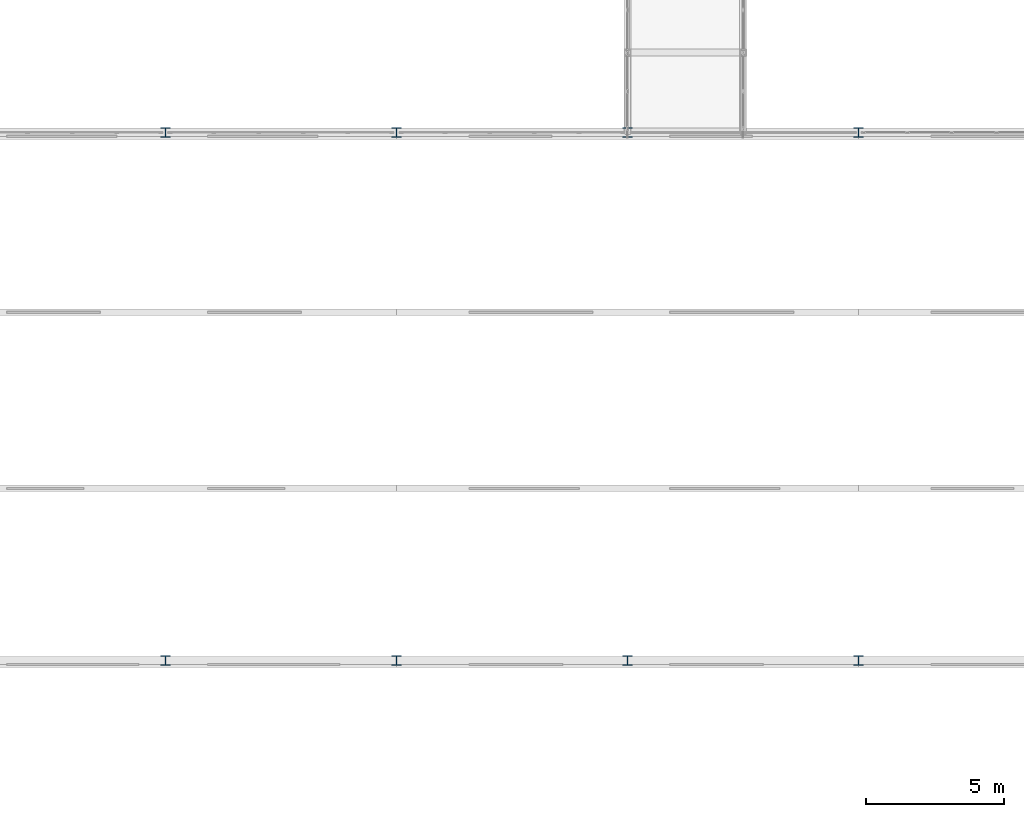
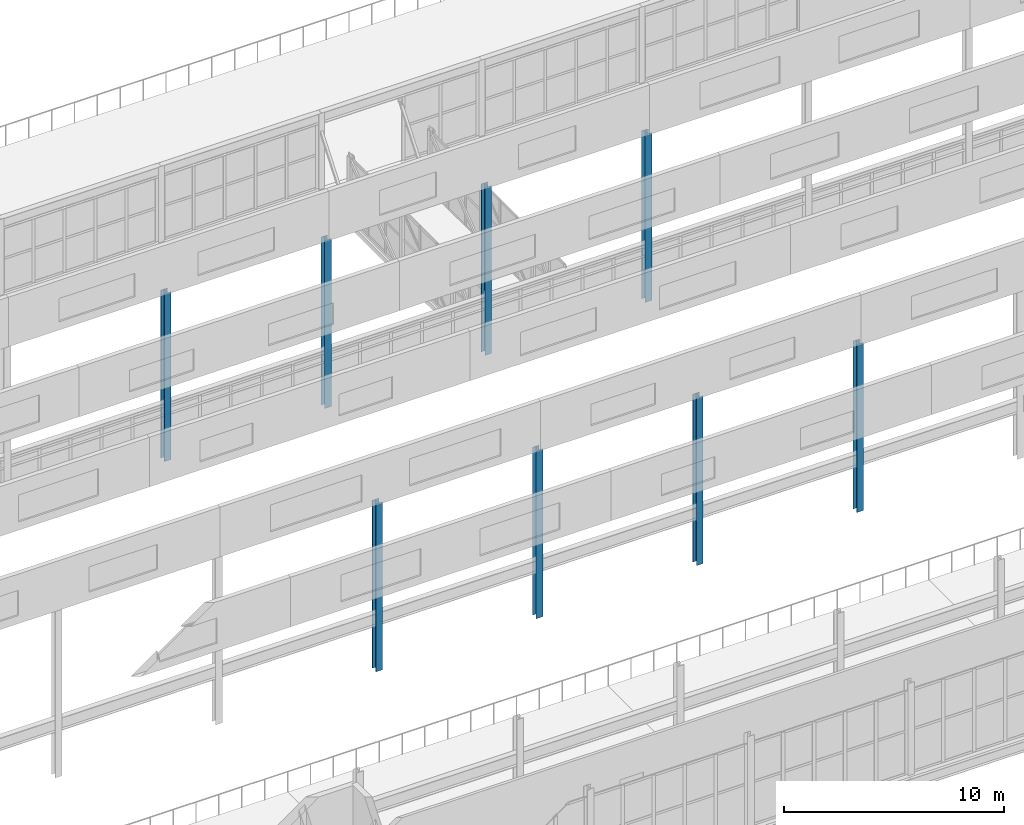
# One storey, part 8 of 218: 8 columns.
"""IFC4 building model written with IfcOpenShell, lengths in metres."""

from ifc_helpers import new_model, si_unit, direction, frame, origin, origin_2d, place, context, subcontext, project, spatial, i_section, extrude, material, material_profile, profile_set, type_object, element, save


model = new_model("IFC4")

# Units and contexts
model_context = context("Model", 3, precision=1e-05, world=origin(), true_north=direction((0.0, 1.0)))
body_context = subcontext(model_context, "Body", "Model", "MODEL_VIEW")
ifc_project = project(units=[si_unit("LENGTHUNIT", "METRE"), si_unit("AREAUNIT", "SQUARE_METRE"), si_unit("VOLUMEUNIT", "CUBIC_METRE"), si_unit("PLANEANGLEUNIT", "RADIAN"), si_unit("MASSUNIT", "GRAM", prefix="KILO")], contexts=[model_context])

# Site, building, storey
site_placement = place(None, origin())
site = spatial("IfcSite", under=ifc_project, at=site_placement, CompositionType="ELEMENT")
building_placement = place(site_placement, origin())
building = spatial("IfcBuilding", under=site, at=building_placement, Name="Kazenagashi Tramway Depot", CompositionType="ELEMENT")
storey_placement = place(building_placement, frame((0.0, 0.0, 6.0)))
storey = spatial("IfcBuildingStorey", under=building, at=storey_placement, Name="L02", CompositionType="ELEMENT", Elevation=6.0)

# Columns
ifc_material = material(Name="Steel SN490B", Category="steel")
ifc_material_profile = material_profile(ifc_material, i_section(OverallWidth=0.35, OverallDepth=0.35, WebThickness=0.012, FlangeThickness=0.019, at=origin_2d()), Name="H-350x350x12x19")
ifc_profile_set = profile_set([ifc_material_profile], Name="Steel SN490B")
column_type = type_object("IfcColumnType", Name="C-04", PredefinedType="COLUMN", material=ifc_profile_set)
for number, where, z_axis, x_axis, name in (
    (1, (70.0, 35.7, 0.0), (0.0, 0.0, 1.0), (1.0, 0.0, 0.0), "Column C-04 COL-0206"),
    (2, (70.0, 54.9, 0.0), (0.0, 0.0, 1.0), (1.0, 0.0, 0.0), "Column C-04 COL-0209"),
    (3, (78.4, 35.7, 0.0), (0.0, 0.0, 1.0), (1.0, 0.0, 0.0), "Column C-04 COL-0223"),
    (4, (78.4, 54.9, 0.0), (0.0, 0.0, 1.0), (1.0, 0.0, 0.0), "Column C-04 COL-0226"),
    (5, (86.8, 35.7, 0.0), (0.0, 0.0, 1.0), (1.0, 0.0, 0.0), "Column C-04 COL-0240"),
    (6, (86.8, 54.9, 0.0), (0.0, 0.0, 1.0), (1.0, 0.0, 0.0), "Column C-04 COL-0243"),
    (7, (95.2, 35.7, 0.0), (0.0, 0.0, 1.0), (1.0, 0.0, 0.0), "Column C-04 COL-0257"),
    (8, (95.2, 54.9, 0.0), (0.0, 0.0, 1.0), (1.0, 0.0, 0.0), "Column C-04 COL-0260"),
):
    element("IfcColumn", number, at=place(storey_placement, frame(where, z_axis=z_axis, x_axis=x_axis)), inside=storey, type_object=column_type, Name=name, PredefinedType="COLUMN", context=body_context, shape_type="SweptSolid", body=[
        extrude(i_section(OverallWidth=0.35, OverallDepth=0.35, WebThickness=0.012, FlangeThickness=0.019, at=origin_2d()), origin(), (0.0, 0.0, 1.0), 9.3),
    ])

save(model, "model.ifc")
